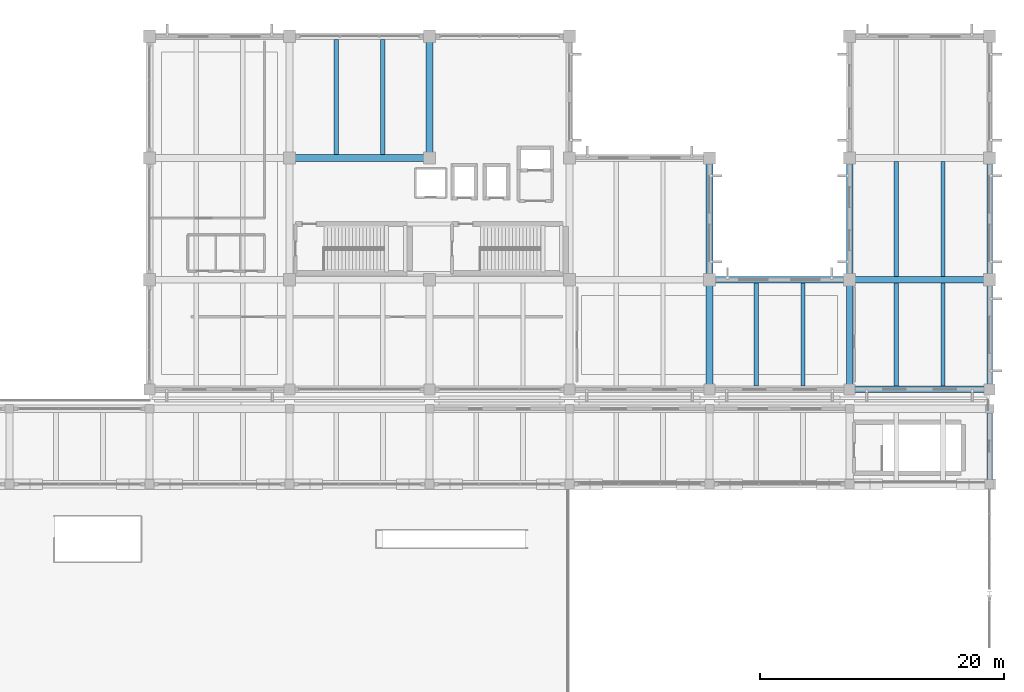
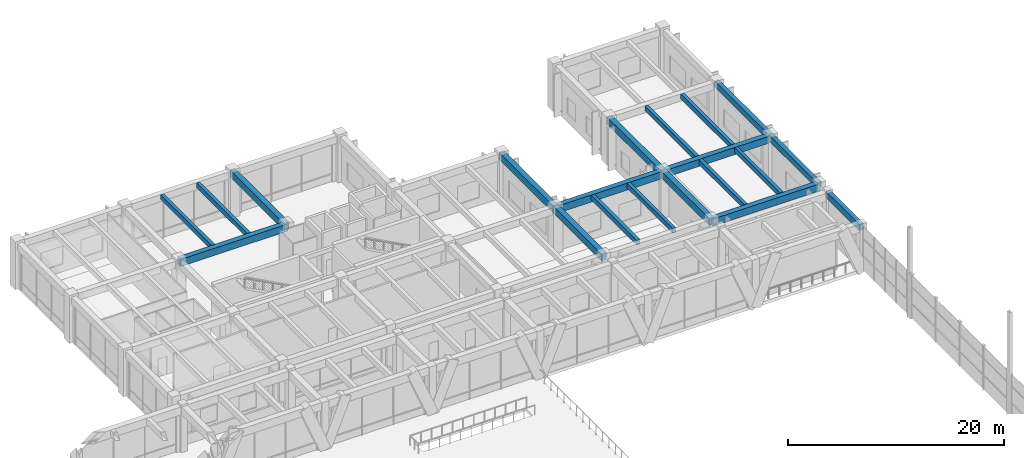
# One storey, part 109 of 148: 20 beams.
"""IFC4 building model written with IfcOpenShell, lengths in metres."""

from ifc_helpers import new_model, si_unit, direction, frame, origin, origin_2d, place, context, subcontext, project, spatial, rectangle, extrude, material, material_profile, profile_set, type_object, element, save


model = new_model("IFC4")

# Units and contexts
model_context = context("Model", 3, precision=1e-05, world=origin(), true_north=direction((0.0, 1.0)))
body_context = subcontext(model_context, "Body", "Model", "MODEL_VIEW")
ifc_project = project(units=[si_unit("LENGTHUNIT", "METRE"), si_unit("AREAUNIT", "SQUARE_METRE"), si_unit("VOLUMEUNIT", "CUBIC_METRE"), si_unit("PLANEANGLEUNIT", "RADIAN"), si_unit("MASSUNIT", "GRAM", prefix="KILO")], contexts=[model_context])

# Site, building, storey
site_placement = place(None, origin())
site = spatial("IfcSite", under=ifc_project, at=site_placement, CompositionType="ELEMENT")
building_placement = place(site_placement, origin())
building = spatial("IfcBuilding", under=site, at=building_placement, Name="Ologun Quay Terminus", CompositionType="ELEMENT")
storey_placement = place(building_placement, frame((0.0, 0.0, 8.39990234375)))
storey = spatial("IfcBuildingStorey", under=building, at=storey_placement, Name="L02", CompositionType="ELEMENT", Elevation=8.39990234375)

# Beams
ifc_material_1 = material(Name="Concrete C40/50", Category="concrete")
ifc_material_profile_1 = material_profile(ifc_material_1, rectangle(XDim=0.550048828125, YDim=0.800048828125, at=origin_2d()), Name="RC 550x800")
ifc_profile_set_1 = profile_set([ifc_material_profile_1], Name="Concrete C40/50")
beam_type_1 = type_object("IfcBeamType", Name="Courtyard Wing Primary Girder 550x800", PredefinedType="BEAM", material=ifc_profile_set_1)
for number, where, z_axis, x_axis, name in (
    (1, (172.5, 85.800048828125, 4.75), (1.0, 0.0, 0.0), (0.0, 1.0, 0.0), "B4 Beam 16/G2 L02"),
    (2, (161.0, 94.800048828125, 4.75), (1.0, 0.0, 0.0), (0.0, 1.0, 0.0), "B4 Beam 15/H L02"),
    (3, (172.5, 94.800048828125, 4.75), (1.0, 0.0, 0.0), (0.0, 1.0, 0.0), "B4 Beam 16/H L02"),
    (4, (126.5, 104.800048828125, 4.75), (1.0, 0.0, 0.0), (0.0, 1.0, 0.0), "B4 Beam 12/J L02"),
):
    element("IfcBeam", number, at=place(storey_placement, frame(where, z_axis=z_axis, x_axis=x_axis)), inside=storey, type_object=beam_type_1, Name=name, PredefinedType="BEAM", context=body_context, shape_type="SweptSolid", body=[
        extrude(rectangle(XDim=0.550048828125, YDim=0.800048828125, at=origin_2d()), origin(), (0.0, 0.0, 1.0), 11.5),
    ])
beam_1_placement = place(storey_placement, frame((138.0, 104.800048828125, 4.75), z_axis=(0.0, 1.0, 0.0), x_axis=(-1.0, 0.0, 0.0)))
element("IfcBeam", 5, at=beam_1_placement, inside=storey, type_object=beam_type_1, Name="B4 Beam 13/J L02", PredefinedType="BEAM", context=body_context, shape_type="SweptSolid", body=[
    extrude(rectangle(XDim=0.550048828125, YDim=0.800048828125, at=origin_2d()), origin(), (0.0, 0.0, 1.0), 10.0),
])
beam_2_placement = place(storey_placement, frame((161.0, 85.800048828125, 4.75), z_axis=(0.0, 1.0, 0.0), x_axis=(-1.0, 0.0, 0.0)))
element("IfcBeam", 6, at=beam_2_placement, inside=storey, type_object=beam_type_1, Name="B4 Beam 15/G2 L02", PredefinedType="BEAM", context=body_context, shape_type="SweptSolid", body=[
    extrude(rectangle(XDim=0.550048828125, YDim=0.800048828125, at=origin_2d()), origin(), (0.0, 0.0, 1.0), 9.0),
])
beam_3_placement = place(storey_placement, frame((161.0, 94.800048828125, 4.75), z_axis=(0.0, 1.0, 0.0), x_axis=(-1.0, 0.0, 0.0)))
element("IfcBeam", 7, at=beam_3_placement, inside=storey, type_object=beam_type_1, Name="B4 Beam 15/H L02", PredefinedType="BEAM", context=body_context, shape_type="SweptSolid", body=[
    extrude(rectangle(XDim=0.550048828125, YDim=0.800048828125, at=origin_2d()), origin(), (0.0, 0.0, 1.0), 10.0),
])
beam_4_placement = place(storey_placement, frame((172.5, 85.800048828125, 4.75), z_axis=(0.0, 1.0, 0.0), x_axis=(-1.0, 0.0, 0.0)))
element("IfcBeam", 8, at=beam_4_placement, inside=storey, type_object=beam_type_1, Name="B4 Beam 16/G2 L02", PredefinedType="BEAM", context=body_context, shape_type="SweptSolid", body=[
    extrude(rectangle(XDim=0.550048828125, YDim=0.800048828125, at=origin_2d()), origin(), (0.0, 0.0, 1.0), 9.0),
])
beam_5_placement = place(storey_placement, frame((172.5, 94.800048828125, 4.75), z_axis=(0.0, 1.0, 0.0), x_axis=(-1.0, 0.0, 0.0)))
element("IfcBeam", 9, at=beam_5_placement, inside=storey, type_object=beam_type_1, Name="B4 Beam 16/H L02", PredefinedType="BEAM", context=body_context, shape_type="SweptSolid", body=[
    extrude(rectangle(XDim=0.550048828125, YDim=0.800048828125, at=origin_2d()), origin(), (0.0, 0.0, 1.0), 10.0),
])
ifc_material_2 = material(Name="Concrete C40/50", Category="concrete")
ifc_material_profile_2 = material_profile(ifc_material_2, rectangle(XDim=0.35009765625, YDim=0.550048828125, at=origin_2d()), Name="RC 350x550")
ifc_profile_set_2 = profile_set([ifc_material_profile_2], Name="Concrete C40/50")
beam_type_2 = type_object("IfcBeamType", Name="Courtyard Wing Secondary Joist 350x550", PredefinedType="JOIST", material=ifc_profile_set_2)
for number, where, z_axis, x_axis, name in (
    (10, (130.333251953125, 105.074951171875, 4.875), (0.0, 1.0, 0.0), (-1.0, 0.0, 0.0), "J2 Beam 12/J L02"),
    (11, (134.166748046875, 105.074951171875, 4.875), (0.0, 1.0, 0.0), (-1.0, 0.0, 0.0), "J2 Beam 12/J L02"),
):
    element("IfcBeam", number, at=place(storey_placement, frame(where, z_axis=z_axis, x_axis=x_axis)), inside=storey, type_object=beam_type_2, Name=name, PredefinedType="JOIST", context=body_context, shape_type="SweptSolid", body=[
        extrude(rectangle(XDim=0.35009765625, YDim=0.550048828125, at=origin_2d()), origin(), (0.0, 0.0, 1.0), 9.449951171875),
    ])
for number, where, z_axis, x_axis, name in (
    (12, (164.833251953125, 86.074951171875, 4.875), (0.0, 1.0, 0.0), (-1.0, 0.0, 0.0), "J2 Beam 15/G2 L02"),
    (13, (168.666748046875, 86.074951171875, 4.875), (0.0, 1.0, 0.0), (-1.0, 0.0, 0.0), "J2 Beam 15/G2 L02"),
    (14, (176.333251953125, 86.074951171875, 4.875), (0.0, 1.0, 0.0), (-1.0, 0.0, 0.0), "J2 Beam 16/G2 L02"),
    (15, (180.166748046875, 86.074951171875, 4.875), (0.0, 1.0, 0.0), (-1.0, 0.0, 0.0), "J2 Beam 16/G2 L02"),
):
    element("IfcBeam", number, at=place(storey_placement, frame(where, z_axis=z_axis, x_axis=x_axis)), inside=storey, type_object=beam_type_2, Name=name, PredefinedType="JOIST", context=body_context, shape_type="SweptSolid", body=[
        extrude(rectangle(XDim=0.35009765625, YDim=0.550048828125, at=origin_2d()), origin(), (0.0, 0.0, 1.0), 8.449951171875),
    ])
for number, where, z_axis, x_axis, name in (
    (16, (176.333251953125, 95.074951171875, 4.875), (0.0, 1.0, 0.0), (-1.0, 0.0, 0.0), "J2 Beam 16/H L02"),
    (17, (180.166748046875, 95.074951171875, 4.875), (0.0, 1.0, 0.0), (-1.0, 0.0, 0.0), "J2 Beam 16/H L02"),
):
    element("IfcBeam", number, at=place(storey_placement, frame(where, z_axis=z_axis, x_axis=x_axis)), inside=storey, type_object=beam_type_2, Name=name, PredefinedType="JOIST", context=body_context, shape_type="SweptSolid", body=[
        extrude(rectangle(XDim=0.35009765625, YDim=0.550048828125, at=origin_2d()), origin(), (0.0, 0.0, 1.0), 9.449951171875),
    ])
ifc_material_3 = material(Name="Concrete C40/50", Category="concrete")
ifc_material_profile_3 = material_profile(ifc_material_3, rectangle(XDim=0.449951171875, YDim=0.699951171875, at=origin_2d()), Name="RC 450x700")
ifc_profile_set_3 = profile_set([ifc_material_profile_3], Name="Concrete C40/50")
beam_type_3 = type_object("IfcBeamType", Name="Perimeter Spandrel Beam 450x700", PredefinedType="SPANDREL", material=ifc_profile_set_3)
beam_6_placement = place(storey_placement, frame((184.0, 78.0, 4.800048828125), z_axis=(0.0, 1.0, 0.0), x_axis=(-1.0, 0.0, 0.0)))
element("IfcBeam", 18, at=beam_6_placement, inside=storey, type_object=beam_type_3, Name="SP1 Beam 17/F L02", PredefinedType="SPANDREL", context=body_context, shape_type="SweptSolid", body=[
    extrude(rectangle(XDim=0.449951171875, YDim=0.699951171875, at=origin_2d()), origin(), (0.0, 0.0, 1.0), 6.199951171875),
])
beam_7_placement = place(storey_placement, frame((184.0, 85.800048828125, 4.800048828125), z_axis=(0.0, 1.0, 0.0), x_axis=(-1.0, 0.0, 0.0)))
element("IfcBeam", 19, at=beam_7_placement, inside=storey, type_object=beam_type_3, Name="SP1 Beam 17/G2 L02", PredefinedType="SPANDREL", context=body_context, shape_type="SweptSolid", body=[
    extrude(rectangle(XDim=0.449951171875, YDim=0.699951171875, at=origin_2d()), origin(), (0.0, 0.0, 1.0), 9.0),
])
beam_8_placement = place(storey_placement, frame((184.0, 94.800048828125, 4.800048828125), z_axis=(0.0, 1.0, 0.0), x_axis=(-1.0, 0.0, 0.0)))
element("IfcBeam", 20, at=beam_8_placement, inside=storey, type_object=beam_type_3, Name="SP1 Beam 17/H L02", PredefinedType="SPANDREL", context=body_context, shape_type="SweptSolid", body=[
    extrude(rectangle(XDim=0.449951171875, YDim=0.699951171875, at=origin_2d()), origin(), (0.0, 0.0, 1.0), 10.0),
])

save(model, "model.ifc")
